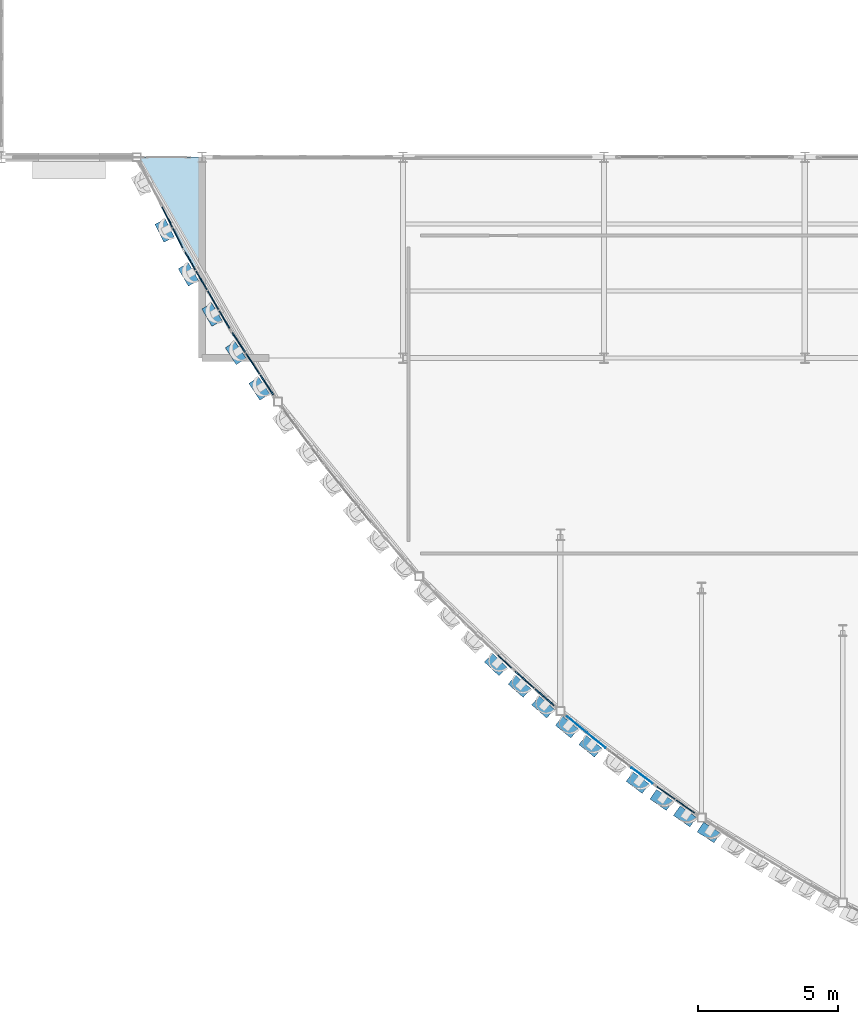
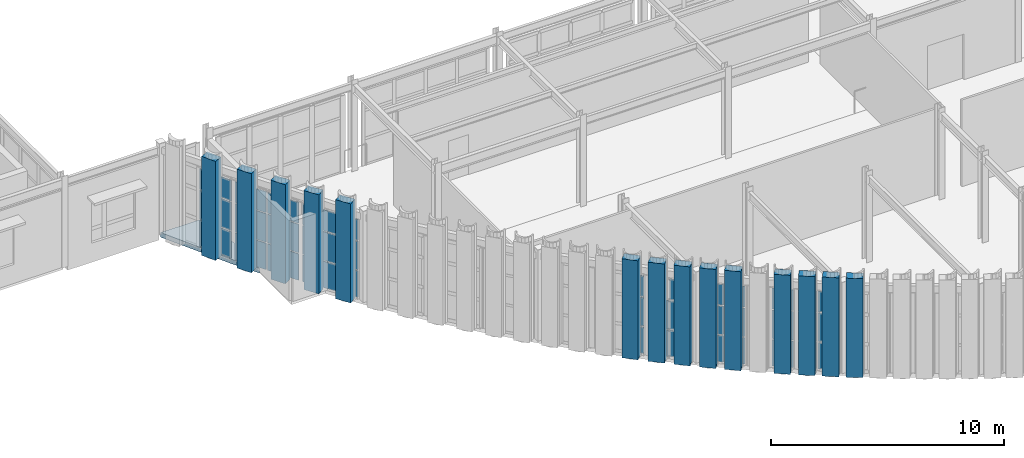
# One storey, part 80 of 126: 64 plates, 1 slab, 8 elements without a shape of their own.
"""IFC4 building model written with IfcOpenShell, lengths in metres."""

from ifc_helpers import new_model, si_unit, direction, frame, origin, origin_2d, place, context, subcontext, project, spatial, polyline, rectangle, outline, extrude, material, layer, layer_set, type_object, element, aggregate, save


model = new_model("IFC4")

# Units and contexts
model_context = context("Model", 3, precision=1e-05, world=origin(), true_north=direction((0.0, 1.0)))
body_context = subcontext(model_context, "Body", "Model", "MODEL_VIEW")
ifc_project = project(units=[si_unit("LENGTHUNIT", "METRE"), si_unit("AREAUNIT", "SQUARE_METRE"), si_unit("VOLUMEUNIT", "CUBIC_METRE"), si_unit("PLANEANGLEUNIT", "RADIAN"), si_unit("MASSUNIT", "GRAM", prefix="KILO")], contexts=[model_context])

# Site, building, storey
site_placement = place(None, origin())
site = spatial("IfcSite", under=ifc_project, at=site_placement, CompositionType="ELEMENT")
building_placement = place(site_placement, origin())
building = spatial("IfcBuilding", under=site, at=building_placement, Name="Solvadek Multi-Sports Hall", CompositionType="ELEMENT")
storey_placement = place(building_placement, frame((0.0, 0.0, 9.60009765625)))
storey = spatial("IfcBuildingStorey", under=building, at=storey_placement, Name="L02", CompositionType="ELEMENT", Elevation=9.60009765625)

# Curtain wall, plates
ifc_material_1 = material(Name="Anodised aluminium", Category="aluminium")
ifc_layer_1 = layer(ifc_material_1, 0.159912109375, Name="Anodised aluminium")
ifc_layer_set_1 = layer_set([ifc_layer_1], Name="Anodised aluminium")
curtain_wall_type_1 = type_object("IfcCurtainWallType", Name="ENV-CW-190X420", PredefinedType="USERDEFINED", material=ifc_layer_set_1)
curtain_wall_1_placement = place(storey_placement, origin())
curtain_wall_1 = element("IfcCurtainWall", 1, at=curtain_wall_1_placement, inside=storey, type_object=curtain_wall_type_1, Name="L02 Crescent Curved Curtain Wall #20", ObjectType="CURTAIN WALL", PredefinedType="USERDEFINED")
ifc_material_2 = material(Name="Tempered laminated low-E glass", Category="glass")
ifc_layer_2 = layer(ifc_material_2, 0.02392578125, Name="Tempered laminated low-E glass")
ifc_layer_set_2 = layer_set([ifc_layer_2], Name="Tempered laminated low-E glass")
plate_type_1 = type_object("IfcPlateType", Name="ENV-CWP-01", PredefinedType="CURTAIN_PANEL", material=ifc_layer_set_2)
plate_1_placement = place(storey_placement, frame((42.20458984375, 0.083251953125, 0.06005859375), z_axis=(0.0, 0.0, 1.0), x_axis=(0.775725183984, -0.631070866808, 0.0)))
plate_1 = element("IfcPlate", 2, at=plate_1_placement, type_object=plate_type_1, Name="CW-09 panel 1.1", PredefinedType="CURTAIN_PANEL", context=body_context, shape_type="SweptSolid", body=[
    extrude(rectangle(XDim=0.854736328125, YDim=0.02392578125, at=origin_2d()), origin(), (0.0, 0.0, 1.0), 1.3798828125),
])
plate_2_placement = place(storey_placement, frame((42.20458984375, 0.083251953125, 1.5), z_axis=(0.0, 0.0, 1.0), x_axis=(0.775725183984, -0.631070866808, 0.0)))
plate_2 = element("IfcPlate", 3, at=plate_2_placement, type_object=plate_type_1, Name="CW-09 panel 1.2", PredefinedType="CURTAIN_PANEL", context=body_context, shape_type="SweptSolid", body=[
    extrude(rectangle(XDim=0.854736328125, YDim=0.02392578125, at=origin_2d()), origin(), (0.0, 0.0, 1.0), 1.493896484375),
])
plate_3_placement = place(storey_placement, frame((42.20458984375, 0.083251953125, 3.053955078125), z_axis=(0.0, 0.0, 1.0), x_axis=(0.775725183984, -0.631070866808, 0.0)))
plate_3 = element("IfcPlate", 4, at=plate_3_placement, type_object=plate_type_1, Name="CW-09 panel 1.3", PredefinedType="CURTAIN_PANEL", context=body_context, shape_type="SweptSolid", body=[
    extrude(rectangle(XDim=0.854736328125, YDim=0.02392578125, at=origin_2d()), origin(), (0.0, 0.0, 1.0), 1.0859375),
])
plate_4_placement = place(storey_placement, frame((42.91796875, -0.497314453125, 0.06005859375), z_axis=(0.0, 0.0, 1.0), x_axis=(0.775725183984, -0.631070866808, 0.0)))
plate_4 = element("IfcPlate", 5, at=plate_4_placement, type_object=plate_type_1, Name="CW-09 panel 2.1", PredefinedType="CURTAIN_PANEL", context=body_context, shape_type="SweptSolid", body=[
    extrude(rectangle(XDim=0.854736328125, YDim=0.02392578125, at=origin_2d()), origin(), (0.0, 0.0, 1.0), 1.3798828125),
])
plate_5_placement = place(storey_placement, frame((42.91796875, -0.497314453125, 1.5), z_axis=(0.0, 0.0, 1.0), x_axis=(0.775725183984, -0.631070866808, 0.0)))
plate_5 = element("IfcPlate", 6, at=plate_5_placement, type_object=plate_type_1, Name="CW-09 panel 2.2", PredefinedType="CURTAIN_PANEL", context=body_context, shape_type="SweptSolid", body=[
    extrude(rectangle(XDim=0.854736328125, YDim=0.02392578125, at=origin_2d()), origin(), (0.0, 0.0, 1.0), 1.493896484375),
])
plate_6_placement = place(storey_placement, frame((42.91796875, -0.497314453125, 3.053955078125), z_axis=(0.0, 0.0, 1.0), x_axis=(0.775725183984, -0.631070866808, 0.0)))
plate_6 = element("IfcPlate", 7, at=plate_6_placement, type_object=plate_type_1, Name="CW-09 panel 2.3", PredefinedType="CURTAIN_PANEL", context=body_context, shape_type="SweptSolid", body=[
    extrude(rectangle(XDim=0.854736328125, YDim=0.02392578125, at=origin_2d()), origin(), (0.0, 0.0, 1.0), 1.0859375),
])
aggregate(curtain_wall_1, [plate_1, plate_2, plate_3, plate_4, plate_5, plate_6])

ifc_layer_3 = layer(ifc_material_1, 0.159912109375, Name="Anodised aluminium")
ifc_layer_set_3 = layer_set([ifc_layer_3], Name="Anodised aluminium")
curtain_wall_type_2 = type_object("IfcCurtainWallType", Name="ENV-CW-205X420", PredefinedType="USERDEFINED", material=ifc_layer_set_3)
curtain_wall_2_placement = place(storey_placement, origin())
curtain_wall_2 = element("IfcCurtainWall", 8, at=curtain_wall_2_placement, inside=storey, type_object=curtain_wall_type_2, Name="L02 Crescent Curved Curtain Wall #22", ObjectType="CURTAIN WALL", PredefinedType="USERDEFINED")
ifc_layer_4 = layer(ifc_material_2, 0.028076171875, Name="Tempered laminated low-E glass")
ifc_layer_set_4 = layer_set([ifc_layer_4], Name="Tempered laminated low-E glass")
plate_type_2 = type_object("IfcPlateType", Name="ENV-CWP-02", PredefinedType="CURTAIN_PANEL", material=ifc_layer_set_4)
plate_7_placement = place(storey_placement, frame((44.5634765625, -1.761962890625, 0.06005859375), z_axis=(0.0, 0.0, 1.0), x_axis=(0.798477265694, -0.602024963078, 0.0)))
plate_7 = element("IfcPlate", 9, at=plate_7_placement, type_object=plate_type_2, Name="CW-10 panel 2.1", PredefinedType="CURTAIN_PANEL", context=body_context, shape_type="SweptSolid", body=[
    extrude(rectangle(XDim=0.9287109375, YDim=0.028076171875, at=origin_2d()), origin(), (0.0, 0.0, 1.0), 1.3798828125),
])
plate_8_placement = place(storey_placement, frame((44.5634765625, -1.761962890625, 1.5), z_axis=(0.0, 0.0, 1.0), x_axis=(0.798477265694, -0.602024963078, 0.0)))
plate_8 = element("IfcPlate", 10, at=plate_8_placement, type_object=plate_type_2, Name="CW-10 panel 2.2", PredefinedType="CURTAIN_PANEL", context=body_context, shape_type="SweptSolid", body=[
    extrude(rectangle(XDim=0.9287109375, YDim=0.028076171875, at=origin_2d()), origin(), (0.0, 0.0, 1.0), 1.493896484375),
])
plate_9_placement = place(storey_placement, frame((44.5634765625, -1.761962890625, 3.053955078125), z_axis=(0.0, 0.0, 1.0), x_axis=(0.798477265694, -0.602024963078, 0.0)))
plate_9 = element("IfcPlate", 11, at=plate_9_placement, type_object=plate_type_2, Name="CW-10 panel 2.3", PredefinedType="CURTAIN_PANEL", context=body_context, shape_type="SweptSolid", body=[
    extrude(rectangle(XDim=0.9287109375, YDim=0.028076171875, at=origin_2d()), origin(), (0.0, 0.0, 1.0), 1.0859375),
])
aggregate(curtain_wall_2, [plate_7, plate_8, plate_9])

ifc_layer_5 = layer(ifc_material_1, 0.159912109375, Name="Anodised aluminium")
ifc_layer_set_5 = layer_set([ifc_layer_5], Name="Anodised aluminium")
curtain_wall_type_3 = type_object("IfcCurtainWallType", Name="ENV-CW-179X420", PredefinedType="USERDEFINED", material=ifc_layer_set_5)
curtain_wall_3_placement = place(storey_placement, origin())
curtain_wall_3 = element("IfcCurtainWall", 12, at=curtain_wall_3_placement, inside=storey, type_object=curtain_wall_type_3, Name="L02 Crescent Curved Curtain Wall #24", ObjectType="CURTAIN WALL", PredefinedType="USERDEFINED")
ifc_layer_6 = layer(ifc_material_2, 0.031982421875, Name="Tempered laminated low-E glass")
ifc_layer_set_6 = layer_set([ifc_layer_6], Name="Tempered laminated low-E glass")
plate_type_3 = type_object("IfcPlateType", Name="ENV-CWP-03", PredefinedType="CURTAIN_PANEL", material=ifc_layer_set_6)
plate_10_placement = place(storey_placement, frame((45.41552734375, -2.382080078125, 0.06494140625), z_axis=(0.0, 0.0, 1.0), x_axis=(0.819499775886, -0.573079503492, 0.0)))
plate_10 = element("IfcPlate", 13, at=plate_10_placement, type_object=plate_type_3, Name="CW-11 panel 1.1", PredefinedType="CURTAIN_PANEL", context=body_context, shape_type="SweptSolid", body=[
    extrude(rectangle(XDim=0.789306640625, YDim=0.031982421875, at=origin_2d()), origin(), (0.0, 0.0, 1.0), 1.37255859375),
])
plate_11_placement = place(storey_placement, frame((45.41552734375, -2.382080078125, 1.50244140625), z_axis=(0.0, 0.0, 1.0), x_axis=(0.819499775886, -0.573079503492, 0.0)))
plate_11 = element("IfcPlate", 14, at=plate_11_placement, type_object=plate_type_3, Name="CW-11 panel 1.2", PredefinedType="CURTAIN_PANEL", context=body_context, shape_type="SweptSolid", body=[
    extrude(rectangle(XDim=0.789306640625, YDim=0.031982421875, at=origin_2d()), origin(), (0.0, 0.0, 1.0), 1.489013671875),
])
plate_12_placement = place(storey_placement, frame((45.41552734375, -2.382080078125, 3.056396484375), z_axis=(0.0, 0.0, 1.0), x_axis=(0.819499775886, -0.573079503492, 0.0)))
plate_12 = element("IfcPlate", 15, at=plate_12_placement, type_object=plate_type_3, Name="CW-11 panel 1.3", PredefinedType="CURTAIN_PANEL", context=body_context, shape_type="SweptSolid", body=[
    extrude(rectangle(XDim=0.789306640625, YDim=0.031982421875, at=origin_2d()), origin(), (0.0, 0.0, 1.0), 1.07861328125),
])
plate_13_placement = place(storey_placement, frame((46.11962890625, -2.87451171875, 0.06494140625), z_axis=(0.0, 0.0, 1.0), x_axis=(0.819499775886, -0.573079503492, 0.0)))
plate_13 = element("IfcPlate", 16, at=plate_13_placement, type_object=plate_type_3, Name="CW-11 panel 2.1", PredefinedType="CURTAIN_PANEL", context=body_context, shape_type="SweptSolid", body=[
    extrude(rectangle(XDim=0.789306640625, YDim=0.031982421875, at=origin_2d()), origin(), (0.0, 0.0, 1.0), 1.37255859375),
])
plate_14_placement = place(storey_placement, frame((46.11962890625, -2.87451171875, 1.50244140625), z_axis=(0.0, 0.0, 1.0), x_axis=(0.819499775886, -0.573079503492, 0.0)))
plate_14 = element("IfcPlate", 17, at=plate_14_placement, type_object=plate_type_3, Name="CW-11 panel 2.2", PredefinedType="CURTAIN_PANEL", context=body_context, shape_type="SweptSolid", body=[
    extrude(rectangle(XDim=0.789306640625, YDim=0.031982421875, at=origin_2d()), origin(), (0.0, 0.0, 1.0), 1.489013671875),
])
plate_15_placement = place(storey_placement, frame((46.11962890625, -2.87451171875, 3.056396484375), z_axis=(0.0, 0.0, 1.0), x_axis=(0.819499775886, -0.573079503492, 0.0)))
plate_15 = element("IfcPlate", 18, at=plate_15_placement, type_object=plate_type_3, Name="CW-11 panel 2.3", PredefinedType="CURTAIN_PANEL", context=body_context, shape_type="SweptSolid", body=[
    extrude(rectangle(XDim=0.789306640625, YDim=0.031982421875, at=origin_2d()), origin(), (0.0, 0.0, 1.0), 1.07861328125),
])
aggregate(curtain_wall_3, [plate_10, plate_11, plate_12, plate_13, plate_14, plate_15])

ifc_layer_7 = layer(ifc_material_1, 0.159912109375, Name="Anodised aluminium")
ifc_layer_set_7 = layer_set([ifc_layer_7], Name="Anodised aluminium")
curtain_wall_type_4 = type_object("IfcCurtainWallType", Name="ENV-CW-347X420", PredefinedType="USERDEFINED", material=ifc_layer_set_7)
curtain_wall_4_placement = place(storey_placement, origin())
curtain_wall_4 = element("IfcCurtainWall", 19, at=curtain_wall_4_placement, inside=storey, type_object=curtain_wall_type_4, Name="L02 Crescent Curved Curtain Wall #2", ObjectType="CURTAIN WALL", PredefinedType="USERDEFINED")
ifc_layer_8 = layer(ifc_material_2, 0.035888671875, Name="Tempered laminated low-E glass")
ifc_layer_set_8 = layer_set([ifc_layer_8], Name="Tempered laminated low-E glass")
plate_type_4 = type_object("IfcPlateType", Name="ENV-CWP-04", PredefinedType="CURTAIN_PANEL", material=ifc_layer_set_8)
plate_16_placement = place(storey_placement, frame((27.541015625, 18.253173828125, 0.06494140625), z_axis=(0.0, 0.0, 1.0), x_axis=(0.451559432312, -0.892241043155, 0.0)))
plate_16 = element("IfcPlate", 20, at=plate_16_placement, type_object=plate_type_4, Name="CW-01 panel 3.1", PredefinedType="CURTAIN_PANEL", context=body_context, shape_type="SweptSolid", body=[
    extrude(rectangle(XDim=0.801513671875, YDim=0.035888671875, at=origin_2d()), origin(), (0.0, 0.0, 1.0), 1.37255859375),
])
plate_17_placement = place(storey_placement, frame((27.541015625, 18.253173828125, 1.50244140625), z_axis=(0.0, 0.0, 1.0), x_axis=(0.451559432312, -0.892241043155, 0.0)))
plate_17 = element("IfcPlate", 21, at=plate_17_placement, type_object=plate_type_4, Name="CW-01 panel 3.2", PredefinedType="CURTAIN_PANEL", context=body_context, shape_type="SweptSolid", body=[
    extrude(rectangle(XDim=0.801513671875, YDim=0.035888671875, at=origin_2d()), origin(), (0.0, 0.0, 1.0), 1.489013671875),
])
plate_18_placement = place(storey_placement, frame((27.541015625, 18.253173828125, 3.056396484375), z_axis=(0.0, 0.0, 1.0), x_axis=(0.451559432312, -0.892241043155, 0.0)))
plate_18 = element("IfcPlate", 22, at=plate_18_placement, type_object=plate_type_4, Name="CW-01 panel 3.3", PredefinedType="CURTAIN_PANEL", context=body_context, shape_type="SweptSolid", body=[
    extrude(rectangle(XDim=0.801513671875, YDim=0.035888671875, at=origin_2d()), origin(), (0.0, 0.0, 1.0), 1.07861328125),
])
plate_19_placement = place(storey_placement, frame((27.925048828125, 17.49462890625, 0.06494140625), z_axis=(0.0, 0.0, 1.0), x_axis=(0.451559432312, -0.892241043155, 0.0)))
plate_19 = element("IfcPlate", 23, at=plate_19_placement, type_object=plate_type_4, Name="CW-01 panel 4.1", PredefinedType="CURTAIN_PANEL", context=body_context, shape_type="SweptSolid", body=[
    extrude(rectangle(XDim=0.76904296875, YDim=0.035888671875, at=origin_2d()), origin(), (0.0, 0.0, 1.0), 1.37255859375),
])
plate_20_placement = place(storey_placement, frame((27.925048828125, 17.49462890625, 1.50244140625), z_axis=(0.0, 0.0, 1.0), x_axis=(0.451559432312, -0.892241043155, 0.0)))
plate_20 = element("IfcPlate", 24, at=plate_20_placement, type_object=plate_type_4, Name="CW-01 panel 4.2", PredefinedType="CURTAIN_PANEL", context=body_context, shape_type="SweptSolid", body=[
    extrude(rectangle(XDim=0.76904296875, YDim=0.035888671875, at=origin_2d()), origin(), (0.0, 0.0, 1.0), 1.489013671875),
])
plate_21_placement = place(storey_placement, frame((27.925048828125, 17.49462890625, 3.056396484375), z_axis=(0.0, 0.0, 1.0), x_axis=(0.451559432312, -0.892241043155, 0.0)))
plate_21 = element("IfcPlate", 25, at=plate_21_placement, type_object=plate_type_4, Name="CW-01 panel 4.3", PredefinedType="CURTAIN_PANEL", context=body_context, shape_type="SweptSolid", body=[
    extrude(rectangle(XDim=0.76904296875, YDim=0.035888671875, at=origin_2d()), origin(), (0.0, 0.0, 1.0), 1.07861328125),
])
aggregate(curtain_wall_4, [plate_16, plate_17, plate_18, plate_19, plate_20, plate_21])

ifc_layer_9 = layer(ifc_material_1, 0.159912109375, Name="Anodised aluminium")
ifc_layer_set_9 = layer_set([ifc_layer_9], Name="Anodised aluminium")
curtain_wall_type_5 = type_object("IfcCurtainWallType", Name="ENV-CW-328X420", PredefinedType="USERDEFINED", material=ifc_layer_set_9)
curtain_wall_5_placement = place(storey_placement, origin())
curtain_wall_5 = element("IfcCurtainWall", 26, at=curtain_wall_5_placement, inside=storey, type_object=curtain_wall_type_5, Name="L02 Crescent Curved Curtain Wall #4", ObjectType="CURTAIN WALL", PredefinedType="USERDEFINED")
ifc_layer_10 = layer(ifc_material_2, 0.0419921875, Name="Tempered laminated low-E glass")
ifc_layer_set_10 = layer_set([ifc_layer_10], Name="Tempered laminated low-E glass")
plate_type_5 = type_object("IfcPlateType", Name="ENV-CWP-05", PredefinedType="CURTAIN_PANEL", material=ifc_layer_set_10)
plate_22_placement = place(storey_placement, frame((28.37255859375, 16.671630859375, 0.06005859375), z_axis=(0.0, 0.0, 1.0), x_axis=(0.504956590114, -0.863144739948, 0.0)))
plate_22 = element("IfcPlate", 27, at=plate_22_placement, type_object=plate_type_5, Name="CW-02 panel 1.1", PredefinedType="CURTAIN_PANEL", context=body_context, shape_type="SweptSolid", body=[
    extrude(rectangle(XDim=0.715087890625, YDim=0.0419921875, at=origin_2d()), origin(), (0.0, 0.0, 1.0), 1.3798828125),
])
plate_23_placement = place(storey_placement, frame((28.37255859375, 16.671630859375, 1.5), z_axis=(0.0, 0.0, 1.0), x_axis=(0.504956590114, -0.863144739948, 0.0)))
plate_23 = element("IfcPlate", 28, at=plate_23_placement, type_object=plate_type_5, Name="CW-02 panel 1.2", PredefinedType="CURTAIN_PANEL", context=body_context, shape_type="SweptSolid", body=[
    extrude(rectangle(XDim=0.715087890625, YDim=0.0419921875, at=origin_2d()), origin(), (0.0, 0.0, 1.0), 1.493896484375),
])
plate_24_placement = place(storey_placement, frame((28.37255859375, 16.671630859375, 3.053955078125), z_axis=(0.0, 0.0, 1.0), x_axis=(0.504956590114, -0.863144739948, 0.0)))
plate_24 = element("IfcPlate", 29, at=plate_24_placement, type_object=plate_type_5, Name="CW-02 panel 1.3", PredefinedType="CURTAIN_PANEL", context=body_context, shape_type="SweptSolid", body=[
    extrude(rectangle(XDim=0.715087890625, YDim=0.0419921875, at=origin_2d()), origin(), (0.0, 0.0, 1.0), 1.0859375),
])
plate_25_placement = place(storey_placement, frame((28.77783203125, 15.97900390625, 0.06005859375), z_axis=(0.0, 0.0, 1.0), x_axis=(0.504956590114, -0.863144739948, 0.0)))
plate_25 = element("IfcPlate", 30, at=plate_25_placement, type_object=plate_type_5, Name="CW-02 panel 2.1", PredefinedType="CURTAIN_PANEL", context=body_context, shape_type="SweptSolid", body=[
    extrude(rectangle(XDim=0.750244140625, YDim=0.0419921875, at=origin_2d()), origin(), (0.0, 0.0, 1.0), 1.3798828125),
])
plate_26_placement = place(storey_placement, frame((28.77783203125, 15.97900390625, 1.5), z_axis=(0.0, 0.0, 1.0), x_axis=(0.504956590114, -0.863144739948, 0.0)))
plate_26 = element("IfcPlate", 31, at=plate_26_placement, type_object=plate_type_5, Name="CW-02 panel 2.2", PredefinedType="CURTAIN_PANEL", context=body_context, shape_type="SweptSolid", body=[
    extrude(rectangle(XDim=0.750244140625, YDim=0.0419921875, at=origin_2d()), origin(), (0.0, 0.0, 1.0), 1.493896484375),
])
plate_27_placement = place(storey_placement, frame((28.77783203125, 15.97900390625, 3.053955078125), z_axis=(0.0, 0.0, 1.0), x_axis=(0.504956590114, -0.863144739948, 0.0)))
plate_27 = element("IfcPlate", 32, at=plate_27_placement, type_object=plate_type_5, Name="CW-02 panel 2.3", PredefinedType="CURTAIN_PANEL", context=body_context, shape_type="SweptSolid", body=[
    extrude(rectangle(XDim=0.750244140625, YDim=0.0419921875, at=origin_2d()), origin(), (0.0, 0.0, 1.0), 1.0859375),
])
plate_28_placement = place(storey_placement, frame((29.19189453125, 15.27099609375, 0.06005859375), z_axis=(0.0, 0.0, 1.0), x_axis=(0.504956590114, -0.863144739948, 0.0)))
plate_28 = element("IfcPlate", 33, at=plate_28_placement, type_object=plate_type_5, Name="CW-02 panel 3.1", PredefinedType="CURTAIN_PANEL", context=body_context, shape_type="SweptSolid", body=[
    extrude(rectangle(XDim=0.750244140625, YDim=0.0419921875, at=origin_2d()), origin(), (0.0, 0.0, 1.0), 1.3798828125),
])
plate_29_placement = place(storey_placement, frame((29.19189453125, 15.27099609375, 1.5), z_axis=(0.0, 0.0, 1.0), x_axis=(0.504956590114, -0.863144739948, 0.0)))
plate_29 = element("IfcPlate", 34, at=plate_29_placement, type_object=plate_type_5, Name="CW-02 panel 3.2", PredefinedType="CURTAIN_PANEL", context=body_context, shape_type="SweptSolid", body=[
    extrude(rectangle(XDim=0.750244140625, YDim=0.0419921875, at=origin_2d()), origin(), (0.0, 0.0, 1.0), 1.493896484375),
])
plate_30_placement = place(storey_placement, frame((29.19189453125, 15.27099609375, 3.053955078125), z_axis=(0.0, 0.0, 1.0), x_axis=(0.504956590114, -0.863144739948, 0.0)))
plate_30 = element("IfcPlate", 35, at=plate_30_placement, type_object=plate_type_5, Name="CW-02 panel 3.3", PredefinedType="CURTAIN_PANEL", context=body_context, shape_type="SweptSolid", body=[
    extrude(rectangle(XDim=0.750244140625, YDim=0.0419921875, at=origin_2d()), origin(), (0.0, 0.0, 1.0), 1.0859375),
])
plate_31_placement = place(storey_placement, frame((29.59716796875, 14.578125, 0.06005859375), z_axis=(0.0, 0.0, 1.0), x_axis=(0.504956590114, -0.863144739948, 0.0)))
plate_31 = element("IfcPlate", 36, at=plate_31_placement, type_object=plate_type_5, Name="CW-02 panel 4.1", PredefinedType="CURTAIN_PANEL", context=body_context, shape_type="SweptSolid", body=[
    extrude(rectangle(XDim=0.715087890625, YDim=0.0419921875, at=origin_2d()), origin(), (0.0, 0.0, 1.0), 1.3798828125),
])
plate_32_placement = place(storey_placement, frame((29.59716796875, 14.578125, 1.5), z_axis=(0.0, 0.0, 1.0), x_axis=(0.504956590114, -0.863144739948, 0.0)))
plate_32 = element("IfcPlate", 37, at=plate_32_placement, type_object=plate_type_5, Name="CW-02 panel 4.2", PredefinedType="CURTAIN_PANEL", context=body_context, shape_type="SweptSolid", body=[
    extrude(rectangle(XDim=0.715087890625, YDim=0.0419921875, at=origin_2d()), origin(), (0.0, 0.0, 1.0), 1.493896484375),
])
plate_33_placement = place(storey_placement, frame((29.59716796875, 14.578125, 3.053955078125), z_axis=(0.0, 0.0, 1.0), x_axis=(0.504956590114, -0.863144739948, 0.0)))
plate_33 = element("IfcPlate", 38, at=plate_33_placement, type_object=plate_type_5, Name="CW-02 panel 4.3", PredefinedType="CURTAIN_PANEL", context=body_context, shape_type="SweptSolid", body=[
    extrude(rectangle(XDim=0.715087890625, YDim=0.0419921875, at=origin_2d()), origin(), (0.0, 0.0, 1.0), 1.0859375),
])
aggregate(curtain_wall_5, [plate_22, plate_23, plate_24, plate_25, plate_26, plate_27, plate_28, plate_29, plate_30, plate_31, plate_32, plate_33])

ifc_layer_11 = layer(ifc_material_1, 0.159912109375, Name="Anodised aluminium")
ifc_layer_set_11 = layer_set([ifc_layer_11], Name="Anodised aluminium")
curtain_wall_type_6 = type_object("IfcCurtainWallType", Name="ENV-CW-227X420", PredefinedType="USERDEFINED", material=ifc_layer_set_11)
curtain_wall_6_placement = place(storey_placement, origin())
curtain_wall_6 = element("IfcCurtainWall", 39, at=curtain_wall_6_placement, inside=storey, type_object=curtain_wall_type_6, Name="L02 Crescent Curved Curtain Wall #16", ObjectType="CURTAIN WALL", PredefinedType="USERDEFINED")
plate_34_placement = place(storey_placement, frame((39.64306640625, 2.31884765625, 0.06494140625), z_axis=(0.0, 0.0, 1.0), x_axis=(0.724763758281, -0.688997456224, 0.0)))
plate_34 = element("IfcPlate", 40, at=plate_34_placement, type_object=plate_type_5, Name="CW-06 panel 3.1", PredefinedType="CURTAIN_PANEL", context=body_context, shape_type="SweptSolid", body=[
    extrude(rectangle(XDim=0.665771484375, YDim=0.0419921875, at=origin_2d()), origin(), (0.0, 0.0, 1.0), 1.37255859375),
])
plate_35_placement = place(storey_placement, frame((39.64306640625, 2.31884765625, 1.50244140625), z_axis=(0.0, 0.0, 1.0), x_axis=(0.724763758281, -0.688997456224, 0.0)))
plate_35 = element("IfcPlate", 41, at=plate_35_placement, type_object=plate_type_5, Name="CW-06 panel 3.2", PredefinedType="CURTAIN_PANEL", context=body_context, shape_type="SweptSolid", body=[
    extrude(rectangle(XDim=0.665771484375, YDim=0.0419921875, at=origin_2d()), origin(), (0.0, 0.0, 1.0), 1.489013671875),
])
plate_36_placement = place(storey_placement, frame((39.64306640625, 2.31884765625, 3.056396484375), z_axis=(0.0, 0.0, 1.0), x_axis=(0.724763758281, -0.688997456224, 0.0)))
plate_36 = element("IfcPlate", 42, at=plate_36_placement, type_object=plate_type_5, Name="CW-06 panel 3.3", PredefinedType="CURTAIN_PANEL", context=body_context, shape_type="SweptSolid", body=[
    extrude(rectangle(XDim=0.665771484375, YDim=0.0419921875, at=origin_2d()), origin(), (0.0, 0.0, 1.0), 1.07861328125),
])
aggregate(curtain_wall_6, [plate_34, plate_35, plate_36])

ifc_layer_12 = layer(ifc_material_1, 0.159912109375, Name="Anodised aluminium")
ifc_layer_set_12 = layer_set([ifc_layer_12], Name="Anodised aluminium")
curtain_wall_type_7 = type_object("IfcCurtainWallType", Name="ENV-CW-279X420", PredefinedType="USERDEFINED", material=ifc_layer_set_12)
curtain_wall_7_placement = place(storey_placement, origin())
curtain_wall_7 = element("IfcCurtainWall", 43, at=curtain_wall_7_placement, inside=storey, type_object=curtain_wall_type_7, Name="L02 Crescent Curved Curtain Wall #6", ObjectType="CURTAIN WALL", PredefinedType="USERDEFINED")
ifc_layer_13 = layer(ifc_material_2, 0.048095703125, Name="Tempered laminated low-E glass")
ifc_layer_set_13 = layer_set([ifc_layer_13], Name="Tempered laminated low-E glass")
plate_type_6 = type_object("IfcPlateType", Name="ENV-CWP-06", PredefinedType="CURTAIN_PANEL", material=ifc_layer_set_13)
plate_37_placement = place(storey_placement, frame((30.109375, 13.758056640625, 0.06005859375), z_axis=(0.0, 0.0, 1.0), x_axis=(0.551617449343, -0.834097230292, 0.0)))
plate_37 = element("IfcPlate", 44, at=plate_37_placement, type_object=plate_type_6, Name="CW-03 panel 1.1", PredefinedType="CURTAIN_PANEL", context=body_context, shape_type="SweptSolid", body=[
    extrude(rectangle(XDim=0.83935546875, YDim=0.048095703125, at=origin_2d()), origin(), (0.0, 0.0, 1.0), 1.3798828125),
])
plate_38_placement = place(storey_placement, frame((30.109375, 13.758056640625, 1.5), z_axis=(0.0, 0.0, 1.0), x_axis=(0.551617449343, -0.834097230292, 0.0)))
plate_38 = element("IfcPlate", 45, at=plate_38_placement, type_object=plate_type_6, Name="CW-03 panel 1.2", PredefinedType="CURTAIN_PANEL", context=body_context, shape_type="SweptSolid", body=[
    extrude(rectangle(XDim=0.83935546875, YDim=0.048095703125, at=origin_2d()), origin(), (0.0, 0.0, 1.0), 1.493896484375),
])
plate_39_placement = place(storey_placement, frame((30.109375, 13.758056640625, 3.053955078125), z_axis=(0.0, 0.0, 1.0), x_axis=(0.551617449343, -0.834097230292, 0.0)))
plate_39 = element("IfcPlate", 46, at=plate_39_placement, type_object=plate_type_6, Name="CW-03 panel 1.3", PredefinedType="CURTAIN_PANEL", context=body_context, shape_type="SweptSolid", body=[
    extrude(rectangle(XDim=0.83935546875, YDim=0.048095703125, at=origin_2d()), origin(), (0.0, 0.0, 1.0), 1.0859375),
])
plate_40_placement = place(storey_placement, frame((30.61376953125, 12.995361328125, 0.06005859375), z_axis=(0.0, 0.0, 1.0), x_axis=(0.551617449343, -0.834097230292, 0.0)))
plate_40 = element("IfcPlate", 47, at=plate_40_placement, type_object=plate_type_6, Name="CW-03 panel 2.1", PredefinedType="CURTAIN_PANEL", context=body_context, shape_type="SweptSolid", body=[
    extrude(rectangle(XDim=0.869384765625, YDim=0.048095703125, at=origin_2d()), origin(), (0.0, 0.0, 1.0), 1.3798828125),
])
plate_41_placement = place(storey_placement, frame((30.61376953125, 12.995361328125, 1.5), z_axis=(0.0, 0.0, 1.0), x_axis=(0.551617449343, -0.834097230292, 0.0)))
plate_41 = element("IfcPlate", 48, at=plate_41_placement, type_object=plate_type_6, Name="CW-03 panel 2.2", PredefinedType="CURTAIN_PANEL", context=body_context, shape_type="SweptSolid", body=[
    extrude(rectangle(XDim=0.869384765625, YDim=0.048095703125, at=origin_2d()), origin(), (0.0, 0.0, 1.0), 1.493896484375),
])
plate_42_placement = place(storey_placement, frame((30.61376953125, 12.995361328125, 3.053955078125), z_axis=(0.0, 0.0, 1.0), x_axis=(0.551617449343, -0.834097230292, 0.0)))
plate_42 = element("IfcPlate", 49, at=plate_42_placement, type_object=plate_type_6, Name="CW-03 panel 2.3", PredefinedType="CURTAIN_PANEL", context=body_context, shape_type="SweptSolid", body=[
    extrude(rectangle(XDim=0.869384765625, YDim=0.048095703125, at=origin_2d()), origin(), (0.0, 0.0, 1.0), 1.0859375),
])
plate_43_placement = place(storey_placement, frame((31.1181640625, 12.232666015625, 0.06005859375), z_axis=(0.0, 0.0, 1.0), x_axis=(0.551617449343, -0.834097230292, 0.0)))
plate_43 = element("IfcPlate", 50, at=plate_43_placement, type_object=plate_type_6, Name="CW-03 panel 3.1", PredefinedType="CURTAIN_PANEL", context=body_context, shape_type="SweptSolid", body=[
    extrude(rectangle(XDim=0.83935546875, YDim=0.048095703125, at=origin_2d()), origin(), (0.0, 0.0, 1.0), 1.3798828125),
])
plate_44_placement = place(storey_placement, frame((31.1181640625, 12.232666015625, 1.5), z_axis=(0.0, 0.0, 1.0), x_axis=(0.551617449343, -0.834097230292, 0.0)))
plate_44 = element("IfcPlate", 51, at=plate_44_placement, type_object=plate_type_6, Name="CW-03 panel 3.2", PredefinedType="CURTAIN_PANEL", context=body_context, shape_type="SweptSolid", body=[
    extrude(rectangle(XDim=0.83935546875, YDim=0.048095703125, at=origin_2d()), origin(), (0.0, 0.0, 1.0), 1.493896484375),
])
plate_45_placement = place(storey_placement, frame((31.1181640625, 12.232666015625, 3.053955078125), z_axis=(0.0, 0.0, 1.0), x_axis=(0.551617449343, -0.834097230292, 0.0)))
plate_45 = element("IfcPlate", 52, at=plate_45_placement, type_object=plate_type_6, Name="CW-03 panel 3.3", PredefinedType="CURTAIN_PANEL", context=body_context, shape_type="SweptSolid", body=[
    extrude(rectangle(XDim=0.83935546875, YDim=0.048095703125, at=origin_2d()), origin(), (0.0, 0.0, 1.0), 1.0859375),
])
aggregate(curtain_wall_7, [plate_37, plate_38, plate_39, plate_40, plate_41, plate_42, plate_43, plate_44, plate_45])

ifc_layer_14 = layer(ifc_material_1, 0.159912109375, Name="Anodised aluminium")
ifc_layer_set_14 = layer_set([ifc_layer_14], Name="Anodised aluminium")
curtain_wall_type_8 = type_object("IfcCurtainWallType", Name="ENV-CW-198X420", PredefinedType="USERDEFINED", material=ifc_layer_set_14)
curtain_wall_8_placement = place(storey_placement, origin())
curtain_wall_8 = element("IfcCurtainWall", 53, at=curtain_wall_8_placement, inside=storey, type_object=curtain_wall_type_8, Name="L02 Crescent Curved Curtain Wall #18", ObjectType="CURTAIN WALL", PredefinedType="USERDEFINED")
plate_46_placement = place(storey_placement, frame((40.354248046875, 1.671875, 0.06494140625), z_axis=(0.0, 0.0, 1.0), x_axis=(0.751217375879, -0.660054887246, 0.0)))
plate_46 = element("IfcPlate", 54, at=plate_46_placement, type_object=plate_type_6, Name="CW-08 panel 1.1", PredefinedType="CURTAIN_PANEL", context=body_context, shape_type="SweptSolid", body=[
    extrude(rectangle(XDim=0.897705078125, YDim=0.048095703125, at=origin_2d()), origin(), (0.0, 0.0, 1.0), 1.37255859375),
])
plate_47_placement = place(storey_placement, frame((40.354248046875, 1.671875, 1.50244140625), z_axis=(0.0, 0.0, 1.0), x_axis=(0.751217375879, -0.660054887246, 0.0)))
plate_47 = element("IfcPlate", 55, at=plate_47_placement, type_object=plate_type_6, Name="CW-08 panel 1.2", PredefinedType="CURTAIN_PANEL", context=body_context, shape_type="SweptSolid", body=[
    extrude(rectangle(XDim=0.897705078125, YDim=0.048095703125, at=origin_2d()), origin(), (0.0, 0.0, 1.0), 1.489013671875),
])
plate_48_placement = place(storey_placement, frame((41.07373046875, 1.03955078125, 0.06494140625), z_axis=(0.0, 0.0, 1.0), x_axis=(0.751217375879, -0.660054887246, 0.0)))
plate_48 = element("IfcPlate", 56, at=plate_48_placement, type_object=plate_type_6, Name="CW-08 panel 2.1", PredefinedType="CURTAIN_PANEL", context=body_context, shape_type="SweptSolid", body=[
    extrude(rectangle(XDim=0.897705078125, YDim=0.048095703125, at=origin_2d()), origin(), (0.0, 0.0, 1.0), 1.37255859375),
])
plate_49_placement = place(storey_placement, frame((41.07373046875, 1.03955078125, 1.50244140625), z_axis=(0.0, 0.0, 1.0), x_axis=(0.751217375879, -0.660054887246, 0.0)))
plate_49 = element("IfcPlate", 57, at=plate_49_placement, type_object=plate_type_6, Name="CW-08 panel 2.2", PredefinedType="CURTAIN_PANEL", context=body_context, shape_type="SweptSolid", body=[
    extrude(rectangle(XDim=0.897705078125, YDim=0.048095703125, at=origin_2d()), origin(), (0.0, 0.0, 1.0), 1.489013671875),
])
plate_50_placement = place(storey_placement, frame((41.07373046875, 1.03955078125, 3.056396484375), z_axis=(0.0, 0.0, 1.0), x_axis=(0.751217375879, -0.660054887246, 0.0)))
plate_50 = element("IfcPlate", 58, at=plate_50_placement, type_object=plate_type_6, Name="CW-08 panel 2.3", PredefinedType="CURTAIN_PANEL", context=body_context, shape_type="SweptSolid", body=[
    extrude(rectangle(XDim=0.897705078125, YDim=0.048095703125, at=origin_2d()), origin(), (0.0, 0.0, 1.0), 1.07861328125),
])
aggregate(curtain_wall_8, [plate_46, plate_47, plate_48, plate_49, plate_50])

# Plates
ifc_material_3 = material(Name="Perforated champagne-bronze anodised aluminium", Category="aluminium")
ifc_layer_15 = layer(ifc_material_3, 0.419921875, Name="Perforated champagne-bronze anodised aluminium")
ifc_layer_set_15 = layer_set([ifc_layer_15], Name="Perforated champagne-bronze anodised aluminium")
plate_type_7 = type_object("IfcPlateType", Name="ENV-FLT-520", PredefinedType="USERDEFINED", material=ifc_layer_set_15)
for number, where, z_axis, x_axis, name in (
    (59, (27.4521484375, 17.7646484375, 0.0400390625), (0.0, 0.0, 1.0), (0.451555495273, -0.892243035663, 0.0), "L02 Half-Cylinder Colonnade Flute #4"),
    (60, (28.30419921875, 16.1943359375, 0.0400390625), (0.0, 0.0, 1.0), (0.504933392767, -0.863158310432, 0.0), "L02 Half-Cylinder Colonnade Flute #7"),
    (61, (29.147705078125, 14.752685546875, 0.0400390625), (0.0, 0.0, 1.0), (0.504933392767, -0.863158310432, 0.0), "L02 Half-Cylinder Colonnade Flute #8"),
    (62, (29.999755859375, 13.380126953125, 0.0400390625), (0.0, 0.0, 1.0), (0.551610038251, -0.834102131457, 0.0), "L02 Half-Cylinder Colonnade Flute #11"),
    (63, (30.84326171875, 12.104736328125, 0.0400390625), (0.0, 0.0, 1.0), (0.551610038251, -0.834102131457, 0.0), "L02 Half-Cylinder Colonnade Flute #12"),
    (64, (39.321044921875, 2.2109375, 0.0400390625), (0.0, 0.0, 1.0), (0.724733346655, -0.689029445123, 0.0), "L02 Half-Cylinder Colonnade Flute #32"),
    (65, (40.173095703125, 1.431640625, 0.0400390625), (0.0, 0.0, 1.0), (0.751215081629, -0.660057498353, 0.0), "L02 Half-Cylinder Colonnade Flute #35"),
    (66, (41.0166015625, 0.6904296875, 0.0400390625), (0.0, 0.0, 1.0), (0.751215081629, -0.660057498353, 0.0), "L02 Half-Cylinder Colonnade Flute #36"),
    (67, (41.868896484375, -0.030517578125, 0.0400390625), (0.0, 0.0, 1.0), (0.775755175732, -0.631033998549, 0.0), "L02 Half-Cylinder Colonnade Flute #39"),
    (68, (42.712158203125, -0.716552734375, 0.0400390625), (0.0, 0.0, 1.0), (0.775755175732, -0.631033998549, 0.0), "L02 Half-Cylinder Colonnade Flute #40"),
    (69, (44.40771484375, -2.020263671875, 0.0400390625), (0.0, 0.0, 1.0), (0.798475077393, -0.602027865453, 0.0), "L02 Half-Cylinder Colonnade Flute #44"),
    (70, (45.260009765625, -2.639404296875, 0.0400390625), (0.0, 0.0, 1.0), (0.819512548695, -0.573061238029, 0.0), "L02 Half-Cylinder Colonnade Flute #47"),
    (71, (46.103271484375, -3.229248046875, 0.0400390625), (0.0, 0.0, 1.0), (0.819512548695, -0.573061238029, 0.0), "L02 Half-Cylinder Colonnade Flute #48"),
    (72, (46.95556640625, -3.803466796875, 0.0400390625), (0.0, 0.0, 1.0), (0.839053337602, -0.544049167502, 0.0), "L02 Half-Cylinder Colonnade Flute #51"),
):
    element("IfcPlate", number, at=place(storey_placement, frame(where, z_axis=z_axis, x_axis=x_axis)), inside=storey, type_object=plate_type_7, Name=name, ObjectType="FLANGED_SHEET", PredefinedType="USERDEFINED", context=body_context, shape_type="SweptSolid", body=[
        extrude(rectangle(XDim=0.719970703125, YDim=0.419921875, at=origin_2d()), origin(), (0.0, 0.0, 1.0), 5.199951171875),
    ])

# Slab
ifc_material_4 = material(Name="Concrete M35", Category="concrete")
ifc_layer_16 = layer(ifc_material_4, 0.199951171875, Name="Concrete M35")
ifc_layer_set_16 = layer_set([ifc_layer_16], Name="Concrete M35")
slab_type = type_object("IfcSlabType", Name="STR-SLB-FLR200", PredefinedType="FLOOR", material=ifc_layer_set_16)
slab_placement = place(storey_placement, frame((0.0, 0.0, -0.239990234375)))
element("IfcSlab", 73, at=slab_placement, inside=storey, type_object=slab_type, Name="L02 West Crescent Curved Slab #24", PredefinedType="FLOOR", context=body_context, shape_type="SweptSolid", body=[
    extrude(outline(polyline([(26.45458984375, 20.39990234375), (28.800048828125, 20.39990234375), (28.800048828125, 15.94091796875), (28.1416015625, 17.066650390625), (26.45458984375, 20.39990234375), (26.45458984375, 20.39990234375)])), origin(), (0.0, 0.0, 1.0), 0.239990234375),
])

save(model, "model.ifc")
